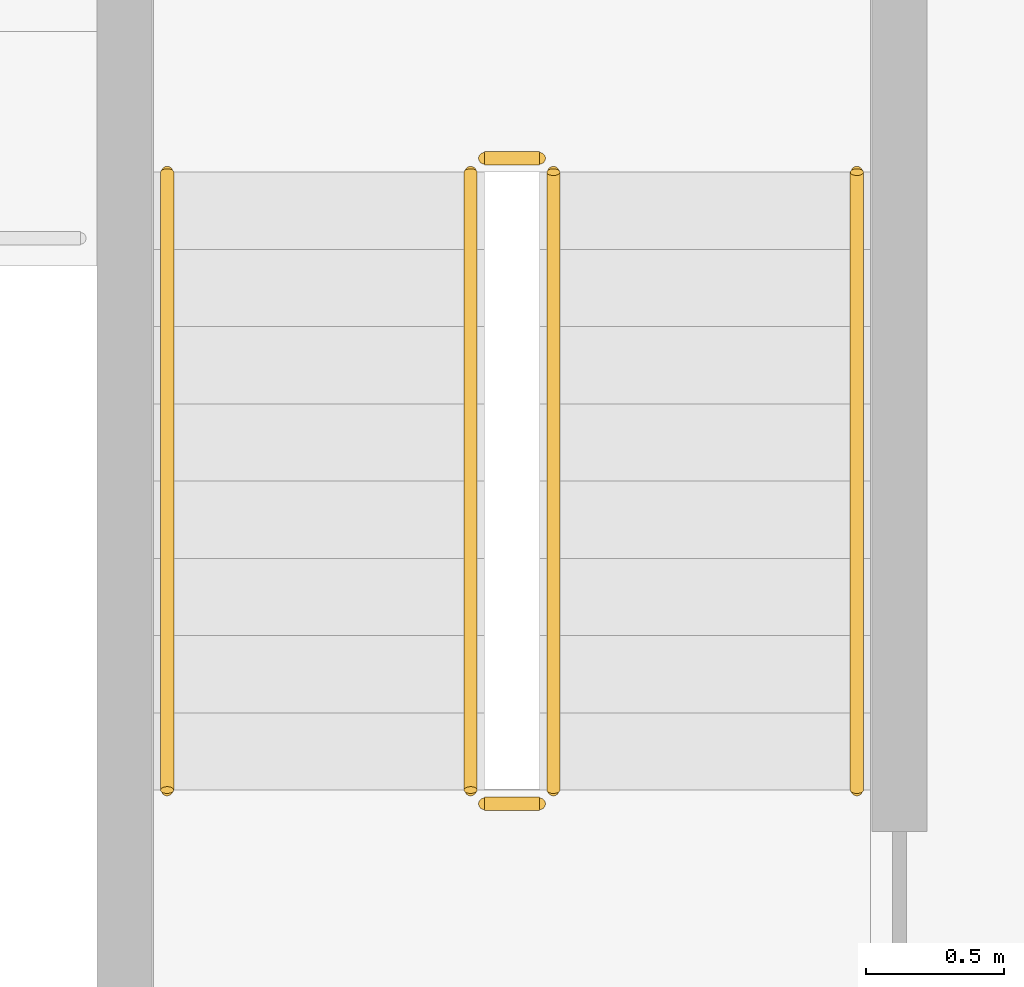
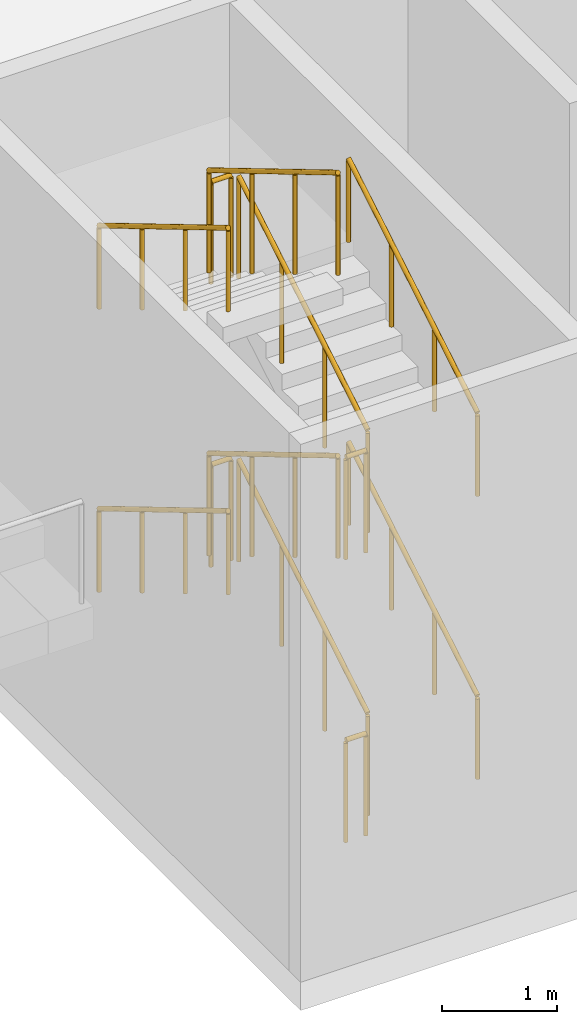
# One storey, part 54 of 61: 1 railing.
"""IFC4 building model written with IfcOpenShell, lengths in metres."""

import ifcopenshell
import ifcopenshell.guid

model = None  # the IFC model being written
_history = None  # IfcOwnerHistory: only IFC2X3 demands one
_inside = {}  # id of a spatial element -> (the spatial element, [elements in it])
_under = {}  # id of a project, library or spatial element -> (it, [spatial elements below it])
_declared = {}  # id of a project -> (the project, [libraries it declares])
_typed = {}  # id of a type object -> (the type object, [elements of that type])
_made_of = {}  # id of a material, layer set ... -> (it, [elements and type objects made of it])


def new_model(schema):
    """Start an empty IFC model of exactly this schema.

    Asked for "IFC4X3", IfcOpenShell would pick the latest addendum, in which some entities
    have other attributes; the version numbers below select the first issue.
    IFC2X3 requires an IfcOwnerHistory on every rooted entity: one is made here for all.
    """
    global model, _history
    if schema == "IFC4X3":
        model = ifcopenshell.file(schema_version=(4, 3, 0, 0))
    else:
        model = ifcopenshell.file(schema=schema)
    _inside.clear()
    _under.clear()
    _declared.clear()
    _typed.clear()
    _made_of.clear()
    _history = None
    if model.schema == "IFC2X3":
        org = make("IfcOrganization", Name="unknown")
        user = make(
            "IfcPersonAndOrganization",
            ThePerson=make("IfcPerson", FamilyName="unknown"),
            TheOrganization=org,
        )
        app = make(
            "IfcApplication",
            ApplicationDeveloper=org,
            Version="unknown",
            ApplicationFullName="unknown",
            ApplicationIdentifier="unknown",
        )
        _history = make(
            "IfcOwnerHistory",
            OwningUser=user,
            OwningApplication=app,
            ChangeAction="ADDED",
            CreationDate=0,
        )
    return model


def make(cls, **values):
    """One entity of the class cls with the attributes given. An attribute that is None is left unset."""
    return model.create_entity(
        cls, **{name: value for name, value in values.items() if value is not None}
    )


def rooted(cls, **values):
    """An entity with a GlobalId (a new one), such as an element, a storey or a relation."""
    return make(cls, GlobalId=ifcopenshell.guid.new(), OwnerHistory=_history, **values)


def si_unit(unit_type, name, prefix=None):
    """IfcSIUnit, for example si_unit("LENGTHUNIT", "METRE", prefix="MILLI")."""
    return make("IfcSIUnit", UnitType=unit_type, Prefix=prefix, Name=name)


def assignment(units):
    """IfcUnitAssignment: the units of a project."""
    return None if units is None else make("IfcUnitAssignment", Units=units)


def point(xyz):
    """IfcCartesianPoint."""
    return None if xyz is None else make("IfcCartesianPoint", Coordinates=xyz)


def direction(xyz):
    """IfcDirection."""
    return None if xyz is None else make("IfcDirection", DirectionRatios=xyz)


def frame(location, z_axis=None, x_axis=None):
    """IfcAxis2Placement3D, a coordinate frame: its origin and axes. An axis left out is left unset."""
    return make(
        "IfcAxis2Placement3D",
        Location=point(location),
        Axis=direction(z_axis),
        RefDirection=direction(x_axis),
    )


def frame_2d(location, x_axis=None):
    """IfcAxis2Placement2D, a coordinate frame in the plane: its origin and x axis."""
    return make(
        "IfcAxis2Placement2D", Location=point(location), RefDirection=direction(x_axis)
    )


def origin():
    """The frame at (0, 0, 0) with its axes left unset."""
    return frame((0.0, 0.0, 0.0))


def origin_2d():
    """The frame at (0, 0) in the plane with its x axis left unset."""
    return frame_2d((0.0, 0.0))


def place(relative_to, where):
    """IfcLocalPlacement: puts the frame where relative to a parent placement (None: the world)."""
    return make(
        "IfcLocalPlacement", PlacementRelTo=relative_to, RelativePlacement=where
    )


def context(
    kind, dimensions, precision=None, world=None, true_north=None, identifier=None
):
    """IfcGeometricRepresentationContext, for example the 3D "Model" context."""
    return make(
        "IfcGeometricRepresentationContext",
        ContextIdentifier=identifier,
        ContextType=kind,
        CoordinateSpaceDimension=dimensions,
        Precision=precision,
        WorldCoordinateSystem=world,
        TrueNorth=true_north,
    )


def subcontext(parent, identifier, kind, view, scale=None):
    """IfcGeometricRepresentationSubContext, for example "Body" below "Model"."""
    return make(
        "IfcGeometricRepresentationSubContext",
        ContextIdentifier=identifier,
        ContextType=kind,
        ParentContext=parent,
        TargetScale=scale,
        TargetView=view,
    )


def project(units=None, contexts=None):
    """IfcProject with its units and contexts."""
    return rooted(
        "IfcProject",
        Name="project",
        RepresentationContexts=contexts,
        UnitsInContext=assignment(units),
    )


def spatial(cls, under=None, at=None, **own):
    """A site, building, storey or space (cls), placed at a placement, below another one or the project."""
    s = rooted(cls, ObjectPlacement=at, **own)
    if under is not None:
        _under.setdefault(under.id(), (under, []))[1].append(s)
    return s


def profile(cls, at=None, kind="AREA", **sizes):
    """A parametric profile (cls). Its sizes go by their IFC names, for example OverallWidth=200.0."""
    return make(cls, ProfileType=kind, Position=at, **sizes)


def circle(**sizes):
    """IfcCircleProfileDef."""
    return profile("IfcCircleProfileDef", **sizes)


def extrude(swept, where, along, depth):
    """IfcExtrudedAreaSolid: the profile swept, set in the frame where, extruded along a direction by depth."""
    return make(
        "IfcExtrudedAreaSolid",
        SweptArea=swept,
        Position=where,
        ExtrudedDirection=direction(along),
        Depth=depth,
    )


def shape(context_of_items, identifier, shape_type, items):
    """IfcShapeRepresentation: the items that make up one representation, for example the "Body"."""
    return make(
        "IfcShapeRepresentation",
        ContextOfItems=context_of_items,
        RepresentationIdentifier=identifier,
        RepresentationType=shape_type,
        Items=items,
    )


def material(Name=None, Category=None):
    """IfcMaterial."""
    return make("IfcMaterial", Name=Name, Category=Category)


def made_of(thing, what):
    """Note that an element or type object is made of a material, layer set ...; save() writes the relation."""
    if what is not None:
        _made_of.setdefault(what.id(), (what, []))[1].append(thing)
    return thing


def type_object(cls, material=None, **own):
    """A type object (cls), such as IfcWallType, which elements share."""
    return made_of(rooted(cls, **own), material)


def element(
    cls,
    number,
    at=None,
    inside=None,
    cuts=None,
    type_object=None,
    material=None,
    context=None,
    identifier="Body",
    shape_type=None,
    held_by="IfcProductDefinitionShape",
    body=None,
    shapes=None,
    **own,
):
    """One element of the class cls, such as IfcWall. Its Tag is "e" and its number.

    at: its placement. inside: the storey or other place that contains it. cuts: it is an
    opening in that element (IfcRelVoidsElement). A single representation is given by context,
    identifier, shape_type and body (its items); several are given by shapes. held_by: the class
    of the entity that holds the representations. save() writes the other relations.
    """
    e = rooted(cls, Tag="e%d" % number, ObjectPlacement=at, **own)
    if body is not None:
        shapes = [shape(context, identifier, shape_type, body)]
    if shapes is not None:
        e.Representation = make(held_by, Representations=shapes)
    if inside is not None:
        _inside.setdefault(inside.id(), (inside, []))[1].append(e)
    if cuts is not None:
        rooted(
            "IfcRelVoidsElement", RelatingBuildingElement=cuts, RelatedOpeningElement=e
        )
    if type_object is not None:
        _typed.setdefault(type_object.id(), (type_object, []))[1].append(e)
    return made_of(e, material)


def aggregate(whole, parts):
    """IfcRelAggregates: a whole, such as a stair, and the parts it consists of."""
    return rooted("IfcRelAggregates", RelatingObject=whole, RelatedObjects=parts)


def save(model, path):
    """Write the relations noted so far, then the file.

    IfcRelAggregates (storeys below a building ...), IfcRelContainedInSpatialStructure (elements
    in a storey), IfcRelDefinesByType, IfcRelAssociatesMaterial and IfcRelDeclares: one each for
    every whole, place, type object, material and project.
    """
    for whole, parts in _under.values():
        aggregate(whole, parts)
    for where, things in _inside.values():
        rooted(
            "IfcRelContainedInSpatialStructure",
            RelatedElements=things,
            RelatingStructure=where,
        )
    for kind, things in _typed.values():
        rooted("IfcRelDefinesByType", RelatedObjects=things, RelatingType=kind)
    for what, things in _made_of.values():
        rooted("IfcRelAssociatesMaterial", RelatedObjects=things, RelatingMaterial=what)
    for by, libraries in _declared.values():
        rooted("IfcRelDeclares", RelatingContext=by, RelatedDefinitions=libraries)
    model.write(path)


model = new_model("IFC4")

# Units and contexts
model_context = context("Model", 3, precision=1e-05, world=origin(), true_north=direction((0.0, 1.0)))
body_context = subcontext(model_context, "Body", "Model", "MODEL_VIEW")
ifc_project = project(units=[si_unit("LENGTHUNIT", "METRE"), si_unit("AREAUNIT", "SQUARE_METRE"), si_unit("VOLUMEUNIT", "CUBIC_METRE"), si_unit("PLANEANGLEUNIT", "RADIAN"), si_unit("MASSUNIT", "GRAM", prefix="KILO")], contexts=[model_context])

# Site, building, storey
site_placement = place(None, origin())
site = spatial("IfcSite", under=ifc_project, at=site_placement, CompositionType="ELEMENT")
building_placement = place(site_placement, origin())
building = spatial("IfcBuilding", under=site, at=building_placement, Name="Corbelhall Arena Tower", CompositionType="ELEMENT")
storey_placement = place(building_placement, frame((0.0, 0.0, 31.0)))
storey = spatial("IfcBuildingStorey", under=building, at=storey_placement, Name="L04", CompositionType="ELEMENT", Elevation=31.0)

# Railing
ifc_material = material(Name="Steel ASTM A500 Gr C", Category="steel")
railing_type = type_object("IfcRailingType", Name="IN-GD-1100", PredefinedType="GUARDRAIL", material=ifc_material)
railing_placement = place(storey_placement, frame((-20.2451171875, 16.89990234375, 0.166748046875)))
element("IfcRailing", 1, at=railing_placement, inside=storey, type_object=railing_type, Name="L04 AS17 stair guards and handrails", PredefinedType="GUARDRAIL", context=body_context, shape_type="SweptSolid", body=[
    extrude(circle(Radius=0.02392578125, at=origin_2d()), frame((0.0, 0.0, 1.076171875), z_axis=(0.0, 0.859305625298, 0.511462454469), x_axis=(-1.0, 0.0, 0.0)), (0.0, 0.0, 1.0), 2.606689453125),
    extrude(circle(Radius=0.02392578125, at=origin_2d()), frame((-0.0498046875, 2.2900390625, 2.4091796875), z_axis=(-1.0, 0.0, 0.0), x_axis=(0.0, -1.0, 0.0)), (0.0, 0.0, 1.0), 0.2001953125),
    extrude(circle(Radius=0.02392578125, at=origin_2d()), frame((-0.2998046875, 2.239990234375, 2.576171875), z_axis=(0.0, -0.859305625298, 0.511462454469), x_axis=(1.0, 0.0, 0.0)), (0.0, 0.0, 1.0), 2.606689453125),
    extrude(circle(Radius=0.02392578125, at=origin_2d()), frame((-0.0498046875, -0.0498046875, 3.9091796875), z_axis=(-1.0, 0.0, 0.0), x_axis=(0.0, -1.0, 0.0)), (0.0, 0.0, 1.0), 0.2001953125),
    extrude(circle(Radius=0.02392578125, at=origin_2d()), frame((0.0, 0.0, 4.076171875), z_axis=(0.0, 0.859305625298, 0.511462454469), x_axis=(-1.0, 0.0, 0.0)), (0.0, 0.0, 1.0), 2.606689453125),
    extrude(circle(Radius=0.02392578125, at=origin_2d()), frame((-0.0498046875, 2.2900390625, 5.4091796875), z_axis=(-1.0, 0.0, 0.0), x_axis=(0.0, -1.0, 0.0)), (0.0, 0.0, 1.0), 0.2001953125),
    extrude(circle(Radius=0.02392578125, at=origin_2d()), frame((-0.2998046875, 2.239990234375, 5.576171875), z_axis=(0.0, -0.859305625298, 0.511462454469), x_axis=(1.0, 0.0, 0.0)), (0.0, 0.0, 1.0), 2.606689453125),
    extrude(circle(Radius=0.02392578125, at=origin_2d()), frame((-0.0498046875, -0.0498046875, 0.9091796875), z_axis=(-1.0, 0.0, 0.0), x_axis=(0.0, -1.0, 0.0)), (0.0, 0.0, 1.0), 0.2001953125),
    extrude(circle(Radius=0.02392578125, at=origin_2d()), frame((1.10009765625, 0.0, 0.8759765625), z_axis=(0.0, 0.859305625298, 0.511462454469), x_axis=(-1.0, 0.0, 0.0)), (0.0, 0.0, 1.0), 2.606689453125),
    extrude(circle(Radius=0.02392578125, at=origin_2d()), frame((-1.39990234375, 2.239990234375, 2.3759765625), z_axis=(0.0, -0.859305625298, 0.511462454469), x_axis=(1.0, 0.0, 0.0)), (0.0, 0.0, 1.0), 2.606689453125),
    extrude(circle(Radius=0.02392578125, at=origin_2d()), frame((1.10009765625, 0.0, 3.8759765625), z_axis=(0.0, 0.859305625298, 0.511462454469), x_axis=(-1.0, 0.0, 0.0)), (0.0, 0.0, 1.0), 2.606689453125),
    extrude(circle(Radius=0.02392578125, at=origin_2d()), frame((-1.39990234375, 2.239990234375, 5.3759765625), z_axis=(0.0, -0.859305625298, 0.511462454469), x_axis=(1.0, 0.0, 0.0)), (0.0, 0.0, 1.0), 2.606689453125),
    extrude(circle(Radius=0.02099609375, at=origin_2d()), origin(), (0.0, 0.0, 1.0), 1.052001953125),
    extrude(circle(Radius=0.02099609375, at=origin_2d()), frame((0.0, 0.74658203125, 0.4443359375)), (0.0, 0.0, 1.0), 1.052001953125),
    extrude(circle(Radius=0.02099609375, at=origin_2d()), frame((0.0, 1.493408203125, 0.888916015625)), (0.0, 0.0, 1.0), 1.052001953125),
    extrude(circle(Radius=0.02099609375, at=origin_2d()), frame((0.0, 2.239990234375, 1.333251953125)), (0.0, 0.0, 1.0), 1.052001953125),
    extrude(circle(Radius=0.02099609375, at=origin_2d()), frame((-0.0498046875, 2.2900390625, 1.333251953125)), (0.0, 0.0, 1.0), 1.052001953125),
    extrude(circle(Radius=0.02099609375, at=origin_2d()), frame((-0.25, 2.2900390625, 1.333251953125)), (0.0, 0.0, 1.0), 1.052001953125),
    extrude(circle(Radius=0.02099609375, at=origin_2d()), frame((-0.2998046875, 2.239990234375, 1.5)), (0.0, 0.0, 1.0), 1.052001953125),
    extrude(circle(Radius=0.02099609375, at=origin_2d()), frame((-0.2998046875, 1.493408203125, 1.9443359375)), (0.0, 0.0, 1.0), 1.052001953125),
    extrude(circle(Radius=0.02099609375, at=origin_2d()), frame((-0.2998046875, 0.74658203125, 2.388916015625)), (0.0, 0.0, 1.0), 1.052001953125),
    extrude(circle(Radius=0.02099609375, at=origin_2d()), frame((-0.2998046875, 0.0, 2.833251953125)), (0.0, 0.0, 1.0), 1.052001953125),
    extrude(circle(Radius=0.02099609375, at=origin_2d()), frame((-0.0498046875, -0.0498046875, 2.833251953125)), (0.0, 0.0, 1.0), 1.052001953125),
    extrude(circle(Radius=0.02099609375, at=origin_2d()), frame((-0.25, -0.0498046875, 2.833251953125)), (0.0, 0.0, 1.0), 1.052001953125),
    extrude(circle(Radius=0.02099609375, at=origin_2d()), frame((0.0, 0.0, 3.0)), (0.0, 0.0, 1.0), 1.052001953125),
    extrude(circle(Radius=0.02099609375, at=origin_2d()), frame((0.0, 0.74658203125, 3.4443359375)), (0.0, 0.0, 1.0), 1.052001953125),
    extrude(circle(Radius=0.02099609375, at=origin_2d()), frame((0.0, 1.493408203125, 3.888916015625)), (0.0, 0.0, 1.0), 1.052001953125),
    extrude(circle(Radius=0.02099609375, at=origin_2d()), frame((0.0, 2.239990234375, 4.333251953125)), (0.0, 0.0, 1.0), 1.052001953125),
    extrude(circle(Radius=0.02099609375, at=origin_2d()), frame((-0.0498046875, 2.2900390625, 4.333251953125)), (0.0, 0.0, 1.0), 1.052001953125),
    extrude(circle(Radius=0.02099609375, at=origin_2d()), frame((-0.25, 2.2900390625, 4.333251953125)), (0.0, 0.0, 1.0), 1.052001953125),
    extrude(circle(Radius=0.02099609375, at=origin_2d()), frame((-0.2998046875, 2.239990234375, 4.5)), (0.0, 0.0, 1.0), 1.052001953125),
    extrude(circle(Radius=0.02099609375, at=origin_2d()), frame((-0.2998046875, 1.493408203125, 4.9443359375)), (0.0, 0.0, 1.0), 1.052001953125),
    extrude(circle(Radius=0.02099609375, at=origin_2d()), frame((-0.2998046875, 0.74658203125, 5.388916015625)), (0.0, 0.0, 1.0), 1.052001953125),
    extrude(circle(Radius=0.02099609375, at=origin_2d()), frame((-0.2998046875, 0.0, 5.833251953125)), (0.0, 0.0, 1.0), 1.052001953125),
    extrude(circle(Radius=0.02099609375, at=origin_2d()), frame((-0.0498046875, -0.0498046875, -0.166748046875)), (0.0, 0.0, 1.0), 1.052001953125),
    extrude(circle(Radius=0.02099609375, at=origin_2d()), frame((-0.25, -0.0498046875, -0.166748046875)), (0.0, 0.0, 1.0), 1.052001953125),
    extrude(circle(Radius=0.02099609375, at=origin_2d()), frame((1.10009765625, 0.0, 0.0)), (0.0, 0.0, 1.0), 0.851806640625),
    extrude(circle(Radius=0.02099609375, at=origin_2d()), frame((1.10009765625, 0.74658203125, 0.4443359375)), (0.0, 0.0, 1.0), 0.851806640625),
    extrude(circle(Radius=0.02099609375, at=origin_2d()), frame((1.10009765625, 1.493408203125, 0.888916015625)), (0.0, 0.0, 1.0), 0.851806640625),
    extrude(circle(Radius=0.02099609375, at=origin_2d()), frame((1.10009765625, 2.239990234375, 1.333251953125)), (0.0, 0.0, 1.0), 0.851806640625),
    extrude(circle(Radius=0.02099609375, at=origin_2d()), frame((-1.39990234375, 2.239990234375, 1.5)), (0.0, 0.0, 1.0), 0.851806640625),
    extrude(circle(Radius=0.02099609375, at=origin_2d()), frame((-1.39990234375, 1.493408203125, 1.9443359375)), (0.0, 0.0, 1.0), 0.851806640625),
    extrude(circle(Radius=0.02099609375, at=origin_2d()), frame((-1.39990234375, 0.74658203125, 2.388916015625)), (0.0, 0.0, 1.0), 0.851806640625),
    extrude(circle(Radius=0.02099609375, at=origin_2d()), frame((-1.39990234375, 0.0, 2.833251953125)), (0.0, 0.0, 1.0), 0.851806640625),
    extrude(circle(Radius=0.02099609375, at=origin_2d()), frame((1.10009765625, 0.0, 3.0)), (0.0, 0.0, 1.0), 0.851806640625),
    extrude(circle(Radius=0.02099609375, at=origin_2d()), frame((1.10009765625, 0.74658203125, 3.4443359375)), (0.0, 0.0, 1.0), 0.851806640625),
    extrude(circle(Radius=0.02099609375, at=origin_2d()), frame((1.10009765625, 1.493408203125, 3.888916015625)), (0.0, 0.0, 1.0), 0.851806640625),
    extrude(circle(Radius=0.02099609375, at=origin_2d()), frame((1.10009765625, 2.239990234375, 4.333251953125)), (0.0, 0.0, 1.0), 0.851806640625),
    extrude(circle(Radius=0.02099609375, at=origin_2d()), frame((-1.39990234375, 2.239990234375, 4.5)), (0.0, 0.0, 1.0), 0.851806640625),
    extrude(circle(Radius=0.02099609375, at=origin_2d()), frame((-1.39990234375, 1.493408203125, 4.9443359375)), (0.0, 0.0, 1.0), 0.851806640625),
    extrude(circle(Radius=0.02099609375, at=origin_2d()), frame((-1.39990234375, 0.74658203125, 5.388916015625)), (0.0, 0.0, 1.0), 0.851806640625),
    extrude(circle(Radius=0.02099609375, at=origin_2d()), frame((-1.39990234375, 0.0, 5.833251953125)), (0.0, 0.0, 1.0), 0.851806640625),
])

save(model, "model.ifc")
